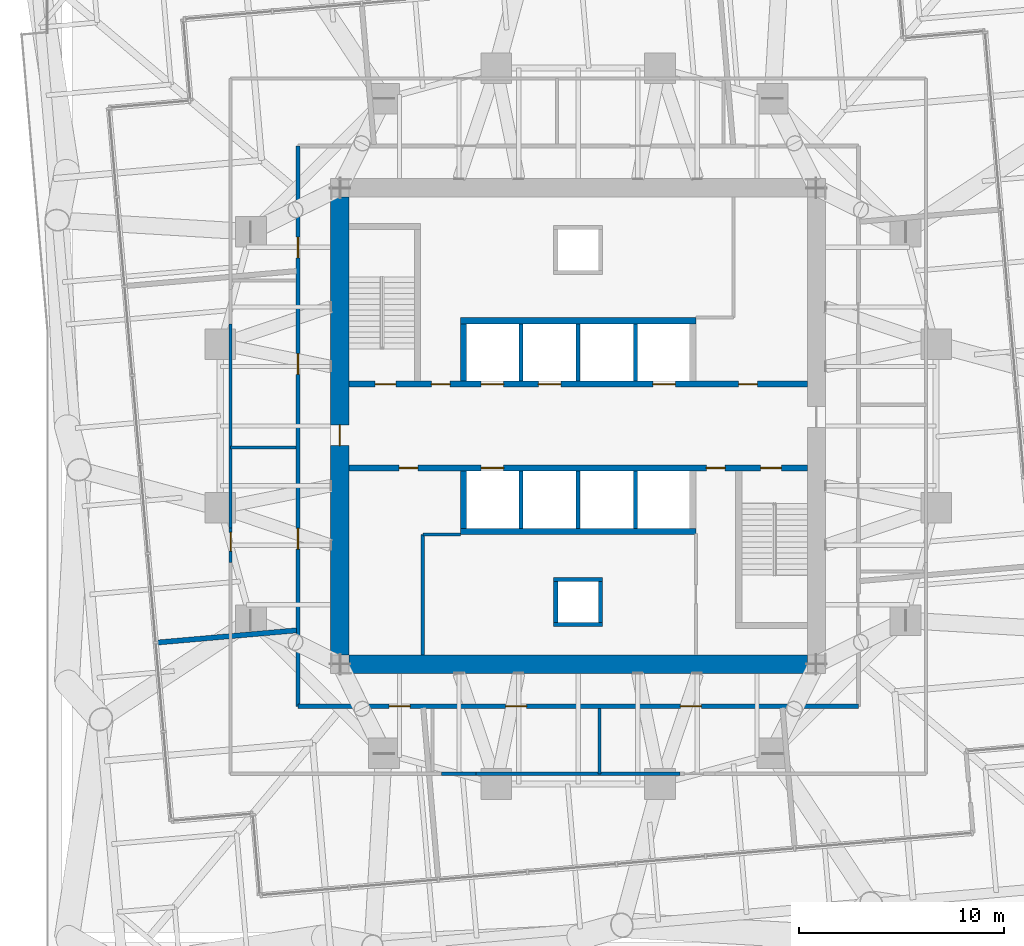
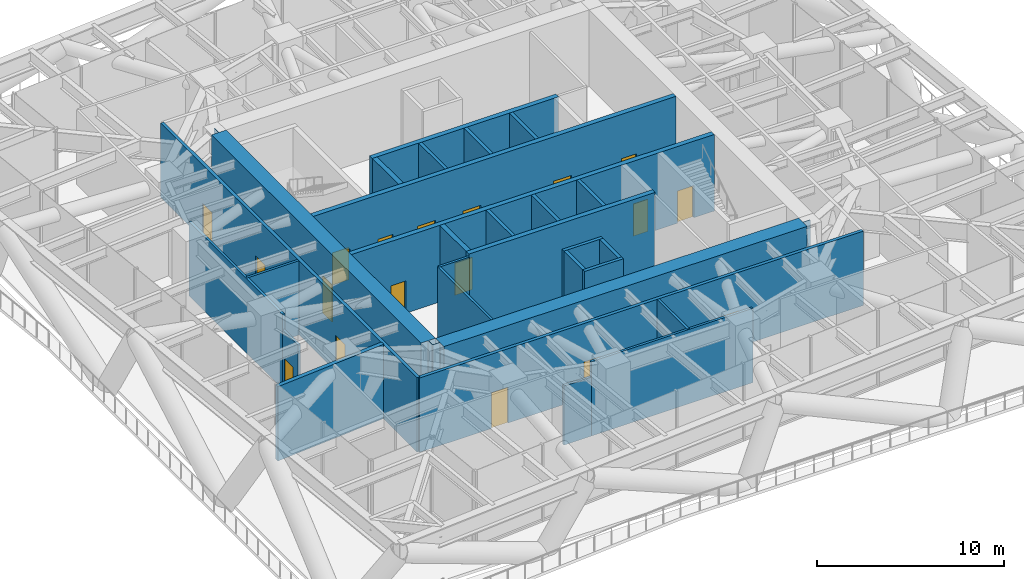
# One storey, part 9 of 14: 29 walls, 18 doors, 18 openings.
"""IFC4 building model written with IfcOpenShell, lengths in metres."""

import ifcopenshell
import ifcopenshell.guid

model = None  # the IFC model being written
_history = None  # IfcOwnerHistory: only IFC2X3 demands one
_inside = {}  # id of a spatial element -> (the spatial element, [elements in it])
_under = {}  # id of a project, library or spatial element -> (it, [spatial elements below it])
_declared = {}  # id of a project -> (the project, [libraries it declares])
_typed = {}  # id of a type object -> (the type object, [elements of that type])
_made_of = {}  # id of a material, layer set ... -> (it, [elements and type objects made of it])


def new_model(schema):
    """Start an empty IFC model of exactly this schema.

    Asked for "IFC4X3", IfcOpenShell would pick the latest addendum, in which some entities
    have other attributes; the version numbers below select the first issue.
    IFC2X3 requires an IfcOwnerHistory on every rooted entity: one is made here for all.
    """
    global model, _history
    if schema == "IFC4X3":
        model = ifcopenshell.file(schema_version=(4, 3, 0, 0))
    else:
        model = ifcopenshell.file(schema=schema)
    _inside.clear()
    _under.clear()
    _declared.clear()
    _typed.clear()
    _made_of.clear()
    _history = None
    if model.schema == "IFC2X3":
        org = make("IfcOrganization", Name="unknown")
        user = make(
            "IfcPersonAndOrganization",
            ThePerson=make("IfcPerson", FamilyName="unknown"),
            TheOrganization=org,
        )
        app = make(
            "IfcApplication",
            ApplicationDeveloper=org,
            Version="unknown",
            ApplicationFullName="unknown",
            ApplicationIdentifier="unknown",
        )
        _history = make(
            "IfcOwnerHistory",
            OwningUser=user,
            OwningApplication=app,
            ChangeAction="ADDED",
            CreationDate=0,
        )
    return model


def make(cls, **values):
    """One entity of the class cls with the attributes given. An attribute that is None is left unset."""
    return model.create_entity(
        cls, **{name: value for name, value in values.items() if value is not None}
    )


def rooted(cls, **values):
    """An entity with a GlobalId (a new one), such as an element, a storey or a relation."""
    return make(cls, GlobalId=ifcopenshell.guid.new(), OwnerHistory=_history, **values)


def si_unit(unit_type, name, prefix=None):
    """IfcSIUnit, for example si_unit("LENGTHUNIT", "METRE", prefix="MILLI")."""
    return make("IfcSIUnit", UnitType=unit_type, Prefix=prefix, Name=name)


def assignment(units):
    """IfcUnitAssignment: the units of a project."""
    return None if units is None else make("IfcUnitAssignment", Units=units)


def point(xyz):
    """IfcCartesianPoint."""
    return None if xyz is None else make("IfcCartesianPoint", Coordinates=xyz)


def direction(xyz):
    """IfcDirection."""
    return None if xyz is None else make("IfcDirection", DirectionRatios=xyz)


def frame(location, z_axis=None, x_axis=None):
    """IfcAxis2Placement3D, a coordinate frame: its origin and axes. An axis left out is left unset."""
    return make(
        "IfcAxis2Placement3D",
        Location=point(location),
        Axis=direction(z_axis),
        RefDirection=direction(x_axis),
    )


def frame_2d(location, x_axis=None):
    """IfcAxis2Placement2D, a coordinate frame in the plane: its origin and x axis."""
    return make(
        "IfcAxis2Placement2D", Location=point(location), RefDirection=direction(x_axis)
    )


def origin():
    """The frame at (0, 0, 0) with its axes left unset."""
    return frame((0.0, 0.0, 0.0))


def place(relative_to, where):
    """IfcLocalPlacement: puts the frame where relative to a parent placement (None: the world)."""
    return make(
        "IfcLocalPlacement", PlacementRelTo=relative_to, RelativePlacement=where
    )


def context(
    kind, dimensions, precision=None, world=None, true_north=None, identifier=None
):
    """IfcGeometricRepresentationContext, for example the 3D "Model" context."""
    return make(
        "IfcGeometricRepresentationContext",
        ContextIdentifier=identifier,
        ContextType=kind,
        CoordinateSpaceDimension=dimensions,
        Precision=precision,
        WorldCoordinateSystem=world,
        TrueNorth=true_north,
    )


def subcontext(parent, identifier, kind, view, scale=None):
    """IfcGeometricRepresentationSubContext, for example "Body" below "Model"."""
    return make(
        "IfcGeometricRepresentationSubContext",
        ContextIdentifier=identifier,
        ContextType=kind,
        ParentContext=parent,
        TargetScale=scale,
        TargetView=view,
    )


def project(units=None, contexts=None):
    """IfcProject with its units and contexts."""
    return rooted(
        "IfcProject",
        Name="project",
        RepresentationContexts=contexts,
        UnitsInContext=assignment(units),
    )


def spatial(cls, under=None, at=None, **own):
    """A site, building, storey or space (cls), placed at a placement, below another one or the project."""
    s = rooted(cls, ObjectPlacement=at, **own)
    if under is not None:
        _under.setdefault(under.id(), (under, []))[1].append(s)
    return s


def polyline(points):
    """IfcPolyline through the points."""
    return make("IfcPolyline", Points=[point(p) for p in points])


def profile(cls, at=None, kind="AREA", **sizes):
    """A parametric profile (cls). Its sizes go by their IFC names, for example OverallWidth=200.0."""
    return make(cls, ProfileType=kind, Position=at, **sizes)


def rectangle(**sizes):
    """IfcRectangleProfileDef."""
    return profile("IfcRectangleProfileDef", **sizes)


def outline(outer, holes=None, kind="AREA"):
    """IfcArbitraryClosedProfileDef: a profile drawn as a closed curve; with holes, ...WithVoids."""
    if holes is None:
        return make("IfcArbitraryClosedProfileDef", ProfileType=kind, OuterCurve=outer)
    return make(
        "IfcArbitraryProfileDefWithVoids",
        ProfileType=kind,
        OuterCurve=outer,
        InnerCurves=holes,
    )


def extrude(swept, where, along, depth):
    """IfcExtrudedAreaSolid: the profile swept, set in the frame where, extruded along a direction by depth."""
    return make(
        "IfcExtrudedAreaSolid",
        SweptArea=swept,
        Position=where,
        ExtrudedDirection=direction(along),
        Depth=depth,
    )


def shape(context_of_items, identifier, shape_type, items):
    """IfcShapeRepresentation: the items that make up one representation, for example the "Body"."""
    return make(
        "IfcShapeRepresentation",
        ContextOfItems=context_of_items,
        RepresentationIdentifier=identifier,
        RepresentationType=shape_type,
        Items=items,
    )


def material(Name=None, Category=None):
    """IfcMaterial."""
    return make("IfcMaterial", Name=Name, Category=Category)


def layer(
    of_material, thickness, ventilated=None, Name=None, Category=None, Priority=None
):
    """IfcMaterialLayer: one layer of a wall or slab, of a material (None: an air gap)."""
    return make(
        "IfcMaterialLayer",
        Material=of_material,
        LayerThickness=thickness,
        IsVentilated=ventilated,
        Name=Name,
        Category=Category,
        Priority=Priority,
    )


def layer_set(layers, Name=None):
    """IfcMaterialLayerSet."""
    return make("IfcMaterialLayerSet", MaterialLayers=layers, LayerSetName=Name)


def made_of(thing, what):
    """Note that an element or type object is made of a material, layer set ...; save() writes the relation."""
    if what is not None:
        _made_of.setdefault(what.id(), (what, []))[1].append(thing)
    return thing


def type_object(cls, material=None, **own):
    """A type object (cls), such as IfcWallType, which elements share."""
    return made_of(rooted(cls, **own), material)


def element(
    cls,
    number,
    at=None,
    inside=None,
    cuts=None,
    type_object=None,
    material=None,
    context=None,
    identifier="Body",
    shape_type=None,
    held_by="IfcProductDefinitionShape",
    body=None,
    shapes=None,
    **own,
):
    """One element of the class cls, such as IfcWall. Its Tag is "e" and its number.

    at: its placement. inside: the storey or other place that contains it. cuts: it is an
    opening in that element (IfcRelVoidsElement). A single representation is given by context,
    identifier, shape_type and body (its items); several are given by shapes. held_by: the class
    of the entity that holds the representations. save() writes the other relations.
    """
    e = rooted(cls, Tag="e%d" % number, ObjectPlacement=at, **own)
    if body is not None:
        shapes = [shape(context, identifier, shape_type, body)]
    if shapes is not None:
        e.Representation = make(held_by, Representations=shapes)
    if inside is not None:
        _inside.setdefault(inside.id(), (inside, []))[1].append(e)
    if cuts is not None:
        rooted(
            "IfcRelVoidsElement", RelatingBuildingElement=cuts, RelatedOpeningElement=e
        )
    if type_object is not None:
        _typed.setdefault(type_object.id(), (type_object, []))[1].append(e)
    return made_of(e, material)


def fill(opening, filler):
    """IfcRelFillsElement: the door or window that sits in an opening."""
    return rooted(
        "IfcRelFillsElement",
        RelatingOpeningElement=opening,
        RelatedBuildingElement=filler,
    )


def aggregate(whole, parts):
    """IfcRelAggregates: a whole, such as a stair, and the parts it consists of."""
    return rooted("IfcRelAggregates", RelatingObject=whole, RelatedObjects=parts)


def save(model, path):
    """Write the relations noted so far, then the file.

    IfcRelAggregates (storeys below a building ...), IfcRelContainedInSpatialStructure (elements
    in a storey), IfcRelDefinesByType, IfcRelAssociatesMaterial and IfcRelDeclares: one each for
    every whole, place, type object, material and project.
    """
    for whole, parts in _under.values():
        aggregate(whole, parts)
    for where, things in _inside.values():
        rooted(
            "IfcRelContainedInSpatialStructure",
            RelatedElements=things,
            RelatingStructure=where,
        )
    for kind, things in _typed.values():
        rooted("IfcRelDefinesByType", RelatedObjects=things, RelatingType=kind)
    for what, things in _made_of.values():
        rooted("IfcRelAssociatesMaterial", RelatedObjects=things, RelatingMaterial=what)
    for by, libraries in _declared.values():
        rooted("IfcRelDeclares", RelatingContext=by, RelatedDefinitions=libraries)
    model.write(path)


model = new_model("IFC4")

# Units and contexts
model_context = context("Model", 3, precision=1e-05, world=origin(), true_north=direction((0.0, 1.0)))
body_context = subcontext(model_context, "Body", "Model", "MODEL_VIEW")
ifc_project = project(units=[si_unit("LENGTHUNIT", "METRE"), si_unit("AREAUNIT", "SQUARE_METRE"), si_unit("VOLUMEUNIT", "CUBIC_METRE"), si_unit("PLANEANGLEUNIT", "RADIAN"), si_unit("MASSUNIT", "GRAM", prefix="KILO")], contexts=[model_context])

# Site, building, storey
site_placement = place(None, origin())
site = spatial("IfcSite", under=ifc_project, at=site_placement, CompositionType="ELEMENT")
building_placement = place(site_placement, origin())
building = spatial("IfcBuilding", under=site, at=building_placement, Name="Torsade Residences", CompositionType="ELEMENT")
storey_placement = place(building_placement, frame((0.0, 0.0, 42.199951171875)))
storey = spatial("IfcBuildingStorey", under=building, at=storey_placement, Name="L11", CompositionType="ELEMENT", Elevation=42.199951171875)

# Wall, openings, doors
ifc_material_1 = material(Name="Concrete 80 MPa", Category="concrete")
ifc_layer_1 = layer(ifc_material_1, 0.300048828125)
ifc_layer_set_1 = layer_set([ifc_layer_1], Name="Concrete 80 MPa")
wall_type_1 = type_object("IfcWallType", Name="CORE INTERNAL WALL 300", PredefinedType="SHEAR", material=ifc_layer_set_1)
wall_1_placement = place(storey_placement, frame((28.800048828125, 32.050048828125, 0.0), z_axis=(0.0, 0.0, 1.0), x_axis=(1.0, 0.0, 0.0)))
wall_1 = element("IfcWall", 1, at=wall_1_placement, inside=storey, type_object=wall_type_1, Name="Core wall LN L11", PredefinedType="SHEAR", context=body_context, shape_type="SweptSolid", body=[
    extrude(rectangle(XDim=22.39990234375, YDim=0.300048828125, at=frame_2d((11.199951171875, 0.0))), origin(), (0.0, 0.0, 1.0), 5.0),
])
opening_1_placement = place(wall_1_placement, frame((19.0400390625, 0.0, 0.0)))
opening_1 = element("IfcOpeningElement", 2, at=opening_1_placement, cuts=wall_1, Name="Opening D06", PredefinedType="OPENING", context=body_context, shape_type="SweptSolid", body=[
    extrude(rectangle(XDim=0.919921875, YDim=2.10009765625, at=frame_2d((0.4599609375, 1.050048828125))), frame((0.0, 0.159912109375, 0.0), z_axis=(0.0, -1.0, 0.0), x_axis=(1.0, 0.0, 0.0)), (0.0, 0.0, 1.0), 0.320068359375),
])
opening_2_placement = place(wall_1_placement, frame((1.264892578125, 0.0, 0.0)))
opening_2 = element("IfcOpeningElement", 3, at=opening_2_placement, cuts=wall_1, Name="Opening D03", PredefinedType="OPENING", context=body_context, shape_type="SweptSolid", body=[
    extrude(rectangle(XDim=1.02001953125, YDim=2.10009765625, at=frame_2d((0.510009765625, 1.050048828125))), frame((0.0, 0.159912109375, 0.0), z_axis=(0.0, -1.0, 0.0), x_axis=(1.0, 0.0, 0.0)), (0.0, 0.0, 1.0), 0.320068359375),
])
opening_3_placement = place(wall_1_placement, frame((4.014892578125, 0.0, 0.0)))
opening_3 = element("IfcOpeningElement", 4, at=opening_3_placement, cuts=wall_1, Name="Opening D06", PredefinedType="OPENING", context=body_context, shape_type="SweptSolid", body=[
    extrude(rectangle(XDim=0.919921875, YDim=2.10009765625, at=frame_2d((0.4599609375, 1.050048828125))), frame((0.0, 0.159912109375, 0.0), z_axis=(0.0, -1.0, 0.0), x_axis=(1.0, 0.0, 0.0)), (0.0, 0.0, 1.0), 0.320068359375),
])
opening_4_placement = place(wall_1_placement, frame((6.449951171875, 0.0, 0.0)))
opening_4 = element("IfcOpeningElement", 5, at=opening_4_placement, cuts=wall_1, Name="Opening LD", PredefinedType="OPENING", context=body_context, shape_type="SweptSolid", body=[
    extrude(rectangle(XDim=1.10009765625, YDim=2.10009765625, at=frame_2d((0.550048828125, 1.050048828125))), frame((0.0, 0.159912109375, 0.0), z_axis=(0.0, -1.0, 0.0), x_axis=(1.0, 0.0, 0.0)), (0.0, 0.0, 1.0), 0.320068359375),
])
opening_5_placement = place(wall_1_placement, frame((9.25, 0.0, 0.0)))
opening_5 = element("IfcOpeningElement", 6, at=opening_5_placement, cuts=wall_1, Name="Opening LD", PredefinedType="OPENING", context=body_context, shape_type="SweptSolid", body=[
    extrude(rectangle(XDim=1.10009765625, YDim=2.10009765625, at=frame_2d((0.550048828125, 1.050048828125))), frame((0.0, 0.159912109375, 0.0), z_axis=(0.0, -1.0, 0.0), x_axis=(1.0, 0.0, 0.0)), (0.0, 0.0, 1.0), 0.320068359375),
])
opening_6_placement = place(wall_1_placement, frame((14.85009765625, 0.0, 0.0)))
opening_6 = element("IfcOpeningElement", 7, at=opening_6_placement, cuts=wall_1, Name="Opening LD", PredefinedType="OPENING", context=body_context, shape_type="SweptSolid", body=[
    extrude(rectangle(XDim=1.10009765625, YDim=2.10009765625, at=frame_2d((0.550048828125, 1.050048828125))), frame((0.0, 0.159912109375, 0.0), z_axis=(0.0, -1.0, 0.0), x_axis=(1.0, 0.0, 0.0)), (0.0, 0.0, 1.0), 0.320068359375),
])
ifc_material_2 = material(Name="Steel-framed fire door", Category="steel")
door_type_1 = type_object("IfcDoorType", Name="FIRE DOOR 1020", OperationType="NOTDEFINED", PredefinedType="DOOR", material=ifc_material_2)
door_1_placement = place(opening_2_placement, origin())
door_1 = element("IfcDoor", 8, at=door_1_placement, inside=storey, type_object=door_type_1, Name="Exit door to fire-isolated stair ST1 L11", OperationType="SINGLE_SWING_RIGHT", OverallHeight=2.10009765625, OverallWidth=1.02001953125, PredefinedType="DOOR", context=body_context, shape_type="SweptSolid", body=[
    extrude(rectangle(XDim=1.02001953125, YDim=2.10009765625, at=frame_2d((0.510009765625, 1.050048828125))), frame((0.0, 0.02490234375, 0.0), z_axis=(0.0, -1.0, 0.0), x_axis=(1.0, 0.0, 0.0)), (0.0, 0.0, 1.0), 0.050048828125),
])
fill(opening_2, door_1)
ifc_material_3 = material(Name="Steel-framed fire door", Category="steel")
door_type_2 = type_object("IfcDoorType", Name="FIRE DOOR 920", OperationType="NOTDEFINED", PredefinedType="DOOR", material=ifc_material_3)
door_2_placement = place(opening_1_placement, origin())
door_2 = element("IfcDoor", 9, at=door_2_placement, inside=storey, type_object=door_type_2, Name="Door Lift lobby to Refuse room", OperationType="SINGLE_SWING_LEFT", OverallHeight=2.10009765625, OverallWidth=0.919921875, PredefinedType="DOOR", context=body_context, shape_type="SweptSolid", body=[
    extrude(rectangle(XDim=0.919921875, YDim=2.10009765625, at=frame_2d((0.4599609375, 1.050048828125))), frame((0.0, 0.02490234375, 0.0), z_axis=(0.0, -1.0, 0.0), x_axis=(1.0, 0.0, 0.0)), (0.0, 0.0, 1.0), 0.050048828125),
])
fill(opening_1, door_2)
door_3_placement = place(opening_3_placement, origin())
door_3 = element("IfcDoor", 10, at=door_3_placement, inside=storey, type_object=door_type_2, Name="Door Lift lobby to Electrical riser room", OperationType="SINGLE_SWING_LEFT", OverallHeight=2.10009765625, OverallWidth=0.919921875, PredefinedType="DOOR", context=body_context, shape_type="SweptSolid", body=[
    extrude(rectangle(XDim=0.919921875, YDim=2.10009765625, at=frame_2d((0.4599609375, 1.050048828125))), frame((0.0, 0.02490234375, 0.0), z_axis=(0.0, -1.0, 0.0), x_axis=(1.0, 0.0, 0.0)), (0.0, 0.0, 1.0), 0.050048828125),
])
fill(opening_3, door_3)
ifc_material_4 = material(Name="Stainless steel lift landing door", Category="steel")
door_type_3 = type_object("IfcDoorType", Name="LIFT LANDING DOOR 1100", OperationType="SLIDING_TO_LEFT", PredefinedType="DOOR", material=ifc_material_4)
door_4_placement = place(opening_4_placement, origin())
door_4 = element("IfcDoor", 11, at=door_4_placement, inside=storey, type_object=door_type_3, Name="Lift LA1 landing door L11", OperationType="SLIDING_TO_LEFT", OverallHeight=2.10009765625, OverallWidth=1.10009765625, PredefinedType="DOOR", context=body_context, shape_type="SweptSolid", body=[
    extrude(rectangle(XDim=1.10009765625, YDim=2.10009765625, at=frame_2d((0.550048828125, 1.050048828125))), frame((0.0, 0.02490234375, 0.0), z_axis=(0.0, -1.0, 0.0), x_axis=(1.0, 0.0, 0.0)), (0.0, 0.0, 1.0), 0.050048828125),
])
fill(opening_4, door_4)
door_5_placement = place(opening_5_placement, origin())
door_5 = element("IfcDoor", 12, at=door_5_placement, inside=storey, type_object=door_type_3, Name="Lift LA2 landing door L11", OperationType="SLIDING_TO_LEFT", OverallHeight=2.10009765625, OverallWidth=1.10009765625, PredefinedType="DOOR", context=body_context, shape_type="SweptSolid", body=[
    extrude(rectangle(XDim=1.10009765625, YDim=2.10009765625, at=frame_2d((0.550048828125, 1.050048828125))), frame((0.0, 0.02490234375, 0.0), z_axis=(0.0, -1.0, 0.0), x_axis=(1.0, 0.0, 0.0)), (0.0, 0.0, 1.0), 0.050048828125),
])
fill(opening_5, door_5)
door_6_placement = place(opening_6_placement, origin())
door_6 = element("IfcDoor", 13, at=door_6_placement, inside=storey, type_object=door_type_3, Name="Lift FL1 landing door L11", OperationType="SLIDING_TO_LEFT", OverallHeight=2.10009765625, OverallWidth=1.10009765625, PredefinedType="DOOR", context=body_context, shape_type="SweptSolid", body=[
    extrude(rectangle(XDim=1.10009765625, YDim=2.10009765625, at=frame_2d((0.550048828125, 1.050048828125))), frame((0.0, 0.02490234375, 0.0), z_axis=(0.0, -1.0, 0.0), x_axis=(1.0, 0.0, 0.0)), (0.0, 0.0, 1.0), 0.050048828125),
])
fill(opening_6, door_6)

wall_2_placement = place(storey_placement, frame((51.199951171875, 27.949951171875, 0.0), z_axis=(0.0, 0.0, 1.0), x_axis=(-1.0, 0.0, 0.0)))
wall_2 = element("IfcWall", 14, at=wall_2_placement, inside=storey, type_object=wall_type_1, Name="Core wall LS L11", PredefinedType="SHEAR", context=body_context, shape_type="SweptSolid", body=[
    extrude(rectangle(XDim=22.39990234375, YDim=0.300048828125, at=frame_2d((11.199951171875, 0.0))), origin(), (0.0, 0.0, 1.0), 5.0),
])
opening_7_placement = place(wall_2_placement, frame((19.0400390625, 0.0, 0.0)))
opening_7 = element("IfcOpeningElement", 15, at=opening_7_placement, cuts=wall_2, Name="Opening D06", PredefinedType="OPENING", context=body_context, shape_type="SweptSolid", body=[
    extrude(rectangle(XDim=0.919921875, YDim=2.10009765625, at=frame_2d((0.4599609375, 1.050048828125))), frame((0.0, 0.159912109375, 0.0), z_axis=(0.0, -1.0, 0.0), x_axis=(1.0, 0.0, 0.0)), (0.0, 0.0, 1.0), 0.320068359375),
])
opening_8_placement = place(wall_2_placement, frame((1.264892578125, 0.0, 0.0)))
opening_8 = element("IfcOpeningElement", 16, at=opening_8_placement, cuts=wall_2, Name="Opening D03", PredefinedType="OPENING", context=body_context, shape_type="SweptSolid", body=[
    extrude(rectangle(XDim=1.02001953125, YDim=2.10009765625, at=frame_2d((0.510009765625, 1.050048828125))), frame((0.0, 0.159912109375, 0.0), z_axis=(0.0, -1.0, 0.0), x_axis=(1.0, 0.0, 0.0)), (0.0, 0.0, 1.0), 0.320068359375),
])
opening_9_placement = place(wall_2_placement, frame((4.014892578125, 0.0, 0.0)))
opening_9 = element("IfcOpeningElement", 17, at=opening_9_placement, cuts=wall_2, Name="Opening D06", PredefinedType="OPENING", context=body_context, shape_type="SweptSolid", body=[
    extrude(rectangle(XDim=0.919921875, YDim=2.10009765625, at=frame_2d((0.4599609375, 1.050048828125))), frame((0.0, 0.159912109375, 0.0), z_axis=(0.0, -1.0, 0.0), x_axis=(1.0, 0.0, 0.0)), (0.0, 0.0, 1.0), 0.320068359375),
])
opening_10_placement = place(wall_2_placement, frame((14.85009765625, 0.0, 0.0)))
opening_10 = element("IfcOpeningElement", 18, at=opening_10_placement, cuts=wall_2, Name="Opening LD", PredefinedType="OPENING", context=body_context, shape_type="SweptSolid", body=[
    extrude(rectangle(XDim=1.10009765625, YDim=2.10009765625, at=frame_2d((0.550048828125, 1.050048828125))), frame((0.0, 0.159912109375, 0.0), z_axis=(0.0, -1.0, 0.0), x_axis=(1.0, 0.0, 0.0)), (0.0, 0.0, 1.0), 0.320068359375),
])
door_7_placement = place(opening_8_placement, origin())
door_7 = element("IfcDoor", 19, at=door_7_placement, inside=storey, type_object=door_type_1, Name="Exit door to fire-isolated stair ST2 L11", OperationType="SINGLE_SWING_RIGHT", OverallHeight=2.10009765625, OverallWidth=1.02001953125, PredefinedType="DOOR", context=body_context, shape_type="SweptSolid", body=[
    extrude(rectangle(XDim=1.02001953125, YDim=2.10009765625, at=frame_2d((0.510009765625, 1.050048828125))), frame((0.0, 0.02490234375, 0.0), z_axis=(0.0, -1.0, 0.0), x_axis=(1.0, 0.0, 0.0)), (0.0, 0.0, 1.0), 0.050048828125),
])
fill(opening_8, door_7)
door_8_placement = place(opening_7_placement, origin())
door_8 = element("IfcDoor", 20, at=door_8_placement, inside=storey, type_object=door_type_2, Name="Door Lift lobby to Cleaner store", OperationType="SINGLE_SWING_LEFT", OverallHeight=2.10009765625, OverallWidth=0.919921875, PredefinedType="DOOR", context=body_context, shape_type="SweptSolid", body=[
    extrude(rectangle(XDim=0.919921875, YDim=2.10009765625, at=frame_2d((0.4599609375, 1.050048828125))), frame((0.0, 0.02490234375, 0.0), z_axis=(0.0, -1.0, 0.0), x_axis=(1.0, 0.0, 0.0)), (0.0, 0.0, 1.0), 0.050048828125),
])
fill(opening_7, door_8)
door_9_placement = place(opening_9_placement, origin())
door_9 = element("IfcDoor", 21, at=door_9_placement, inside=storey, type_object=door_type_2, Name="Door Lift lobby to Security and data store", OperationType="SINGLE_SWING_RIGHT", OverallHeight=2.10009765625, OverallWidth=0.919921875, PredefinedType="DOOR", context=body_context, shape_type="SweptSolid", body=[
    extrude(rectangle(XDim=0.919921875, YDim=2.10009765625, at=frame_2d((0.4599609375, 1.050048828125))), frame((0.0, 0.02490234375, 0.0), z_axis=(0.0, -1.0, 0.0), x_axis=(1.0, 0.0, 0.0)), (0.0, 0.0, 1.0), 0.050048828125),
])
fill(opening_9, door_9)
door_10_placement = place(opening_10_placement, origin())
door_10 = element("IfcDoor", 22, at=door_10_placement, inside=storey, type_object=door_type_3, Name="Lift FL2 landing door L11", OperationType="SLIDING_TO_LEFT", OverallHeight=2.10009765625, OverallWidth=1.10009765625, PredefinedType="DOOR", context=body_context, shape_type="SweptSolid", body=[
    extrude(rectangle(XDim=1.10009765625, YDim=2.10009765625, at=frame_2d((0.550048828125, 1.050048828125))), frame((0.0, 0.02490234375, 0.0), z_axis=(0.0, -1.0, 0.0), x_axis=(1.0, 0.0, 0.0)), (0.0, 0.0, 1.0), 0.050048828125),
])
fill(opening_10, door_10)

# Walls
for number, where, z_axis, x_axis, name in (
    (23, (34.25, 35.14990234375, 0.0), (0.0, 0.0, 1.0), (1.0, 0.0, 0.0), "Core wall BN L11"),
    (24, (45.75, 24.85009765625, 0.0), (0.0, 0.0, 1.0), (-1.0, 0.0, 0.0), "Core wall BS L11"),
):
    element("IfcWall", number, at=place(storey_placement, frame(where, z_axis=z_axis, x_axis=x_axis)), inside=storey, type_object=wall_type_1, Name=name, PredefinedType="SHEAR", context=body_context, shape_type="SweptSolid", body=[
        extrude(rectangle(XDim=11.5, YDim=0.300048828125, at=frame_2d((5.75, 0.0))), origin(), (0.0, 0.0, 1.0), 5.0),
    ])
for number, where, z_axis, x_axis, name in (
    (25, (34.39990234375, 32.199951171875, 0.0), (0.0, 0.0, 1.0), (0.0, 1.0, 0.0), "Core wall DN0 L11"),
    (26, (34.39990234375, 27.800048828125, 0.0), (0.0, 0.0, 1.0), (0.0, -1.0, 0.0), "Core wall DS4 L11"),
):
    element("IfcWall", number, at=place(storey_placement, frame(where, z_axis=z_axis, x_axis=x_axis)), inside=storey, type_object=wall_type_1, Name=name, PredefinedType="SHEAR", context=body_context, shape_type="SweptSolid", body=[
        extrude(rectangle(XDim=2.800048828125, YDim=0.300048828125, at=frame_2d((1.39990234375, 0.0))), origin(), (0.0, 0.0, 1.0), 5.0),
    ])
ifc_material_5 = material(Name="Concrete 80 MPa", Category="concrete")
ifc_layer_2 = layer(ifc_material_5, 0.89990234375)
ifc_layer_set_2 = layer_set([ifc_layer_2], Name="Concrete 80 MPa")
wall_type_2 = type_object("IfcWallType", Name="CORE WALL 900", PredefinedType="SHEAR", material=ifc_layer_set_2)
wall_3_placement = place(storey_placement, frame((51.199951171875, 18.35009765625, 0.0), z_axis=(0.0, 0.0, 1.0), x_axis=(-1.0, 0.0, 0.0)))
element("IfcWall", 27, at=wall_3_placement, inside=storey, type_object=wall_type_2, Name="Core wall S L11", PredefinedType="SHEAR", context=body_context, shape_type="SweptSolid", body=[
    extrude(outline(polyline([(0.0, -0.449951171875), (22.39990234375, -0.449951171875), (22.39990234375, -0.02490234375), (22.849853515625, -0.02490234375), (22.849853515625, 0.02490234375), (22.39990234375, 0.02490234375), (22.39990234375, 0.449951171875), (0.0, 0.449951171875), (0.0, 0.02490234375), (-0.449951171875, 0.02490234375), (-0.449951171875, -0.02490234375), (0.0, -0.02490234375), (0.0, -0.449951171875)])), origin(), (0.0, 0.0, 1.0), 5.0),
])

# Wall, opening, door
wall_4_placement = place(storey_placement, frame((28.35009765625, 41.199951171875, 0.0), z_axis=(0.0, 0.0, 1.0), x_axis=(0.0, -1.0, 0.0)))
wall_4 = element("IfcWall", 28, at=wall_4_placement, inside=storey, type_object=wall_type_2, Name="Core wall W L11", PredefinedType="SHEAR", context=body_context, shape_type="SweptSolid", body=[
    extrude(outline(polyline([(0.0, -0.449951171875), (22.39990234375, -0.449951171875), (22.39990234375, -0.02490234375), (22.849853515625, -0.02490234375), (22.849853515625, 0.02490234375), (22.39990234375, 0.02490234375), (22.39990234375, 0.449951171875), (0.0, 0.449951171875), (0.0, 0.02490234375), (-0.449951171875, 0.02490234375), (-0.449951171875, -0.02490234375), (0.0, -0.02490234375), (0.0, -0.449951171875)])), origin(), (0.0, 0.0, 1.0), 5.0),
])
opening_11_placement = place(wall_4_placement, frame((11.139892578125, 0.0, 0.0)))
opening_11 = element("IfcOpeningElement", 29, at=opening_11_placement, cuts=wall_4, Name="Opening D04", PredefinedType="OPENING", context=body_context, shape_type="SweptSolid", body=[
    extrude(rectangle(XDim=1.02001953125, YDim=2.39990234375, at=frame_2d((0.510009765625, 1.199951171875))), frame((0.0, 0.4599609375, 0.0), z_axis=(0.0, -1.0, 0.0), x_axis=(1.0, 0.0, 0.0)), (0.0, 0.0, 1.0), 0.919921875),
])
ifc_material_6 = material(Name="Steel-framed fire door", Category="steel")
door_type_4 = type_object("IfcDoorType", Name="LOBBY SMOKE DOOR 1020x2400", OperationType="NOTDEFINED", PredefinedType="DOOR", material=ifc_material_6)
door_11_placement = place(opening_11_placement, origin())
door_11 = element("IfcDoor", 30, at=door_11_placement, inside=storey, type_object=door_type_4, Name="Lift lobby door W L11", OperationType="SINGLE_SWING_RIGHT", OverallHeight=2.39990234375, OverallWidth=1.02001953125, PredefinedType="DOOR", context=body_context, shape_type="SweptSolid", body=[
    extrude(rectangle(XDim=1.02001953125, YDim=2.39990234375, at=frame_2d((0.510009765625, 1.199951171875))), frame((0.0, 0.02490234375, 0.0), z_axis=(0.0, -1.0, 0.0), x_axis=(1.0, 0.0, 0.0)), (0.0, 0.0, 1.0), 0.050048828125),
])
fill(opening_11, door_11)

# Wall, openings, doors
ifc_material_7 = material(Name="Plasterboard on steel stud", Category="steel")
ifc_layer_3 = layer(ifc_material_7, 0.199951171875)
ifc_layer_set_3 = layer_set([ifc_layer_3], Name="Plasterboard on steel stud")
wall_type_3 = type_object("IfcWallType", Name="CORRIDOR WALL 200", PredefinedType="PARTITIONING", material=ifc_layer_set_3)
wall_5_placement = place(storey_placement, frame((26.300048828125, 16.300048828125, 0.0), z_axis=(0.0, 0.0, 1.0), x_axis=(1.0, 0.0, 0.0)))
wall_5 = element("IfcWall", 31, at=wall_5_placement, inside=storey, type_object=wall_type_3, Name="Corridor wall L11", PredefinedType="PARTITIONING", context=body_context, shape_type="SweptSolid", body=[
    extrude(rectangle(XDim=27.39990234375, YDim=0.199951171875, at=frame_2d((13.699951171875, 0.0))), origin(), (0.0, 0.0, 1.0), 4.85009765625),
])
opening_12_placement = place(wall_5_placement, frame((18.69775390625, 0.0, 0.0)))
opening_12 = element("IfcOpeningElement", 32, at=opening_12_placement, cuts=wall_5, Name="Opening D01", PredefinedType="OPENING", context=body_context, shape_type="SweptSolid", body=[
    extrude(rectangle(XDim=1.02001953125, YDim=2.340087890625, at=frame_2d((0.510009765625, 1.169921875))), frame((0.0, 0.10986328125, 0.0), z_axis=(0.0, -1.0, 0.0), x_axis=(1.0, 0.0, 0.0)), (0.0, 0.0, 1.0), 0.219970703125),
])
opening_13_placement = place(wall_5_placement, frame((10.1533203125, 0.0, 0.0)))
opening_13 = element("IfcOpeningElement", 33, at=opening_13_placement, cuts=wall_5, Name="Opening D01", PredefinedType="OPENING", context=body_context, shape_type="SweptSolid", body=[
    extrude(rectangle(XDim=1.02001953125, YDim=2.340087890625, at=frame_2d((0.510009765625, 1.169921875))), frame((0.0, 0.10986328125, 0.0), z_axis=(0.0, -1.0, 0.0), x_axis=(1.0, 0.0, 0.0)), (0.0, 0.0, 1.0), 0.219970703125),
])
opening_14_placement = place(wall_5_placement, frame((4.457763671875, 0.0, 0.0)))
opening_14 = element("IfcOpeningElement", 34, at=opening_14_placement, cuts=wall_5, Name="Opening D01", PredefinedType="OPENING", context=body_context, shape_type="SweptSolid", body=[
    extrude(rectangle(XDim=1.02001953125, YDim=2.340087890625, at=frame_2d((0.510009765625, 1.169921875))), frame((0.0, 0.10986328125, 0.0), z_axis=(0.0, -1.0, 0.0), x_axis=(1.0, 0.0, 0.0)), (0.0, 0.0, 1.0), 0.219970703125),
])
ifc_material_8 = material(Name="Solid-core timber fire door", Category="wood")
door_type_5 = type_object("IfcDoorType", Name="APARTMENT ENTRY DOOR 1020x2340", OperationType="NOTDEFINED", PredefinedType="DOOR", material=ifc_material_8)
door_12_placement = place(opening_12_placement, origin())
door_12 = element("IfcDoor", 35, at=door_12_placement, inside=storey, type_object=door_type_5, Name="Door Plant corridor to Pump room", OperationType="SINGLE_SWING_RIGHT", OverallHeight=2.340087890625, OverallWidth=1.02001953125, PredefinedType="DOOR", context=body_context, shape_type="SweptSolid", body=[
    extrude(rectangle(XDim=1.02001953125, YDim=2.340087890625, at=frame_2d((0.510009765625, 1.169921875))), frame((0.0, 0.02490234375, 0.0), z_axis=(0.0, -1.0, 0.0), x_axis=(1.0, 0.0, 0.0)), (0.0, 0.0, 1.0), 0.050048828125),
])
fill(opening_12, door_12)
door_13_placement = place(opening_13_placement, origin())
door_13 = element("IfcDoor", 36, at=door_13_placement, inside=storey, type_object=door_type_5, Name="Door Plant corridor to Plant cupboard", OperationType="SINGLE_SWING_RIGHT", OverallHeight=2.340087890625, OverallWidth=1.02001953125, PredefinedType="DOOR", context=body_context, shape_type="SweptSolid", body=[
    extrude(rectangle(XDim=1.02001953125, YDim=2.340087890625, at=frame_2d((0.510009765625, 1.169921875))), frame((0.0, 0.02490234375, 0.0), z_axis=(0.0, -1.0, 0.0), x_axis=(1.0, 0.0, 0.0)), (0.0, 0.0, 1.0), 0.050048828125),
])
fill(opening_13, door_13)
door_14_placement = place(opening_14_placement, origin())
door_14 = element("IfcDoor", 37, at=door_14_placement, inside=storey, type_object=door_type_5, Name="Door Plant corridor to Service lobby", OperationType="SINGLE_SWING_LEFT", OverallHeight=2.340087890625, OverallWidth=1.02001953125, PredefinedType="DOOR", context=body_context, shape_type="SweptSolid", body=[
    extrude(rectangle(XDim=1.02001953125, YDim=2.340087890625, at=frame_2d((0.510009765625, 1.169921875))), frame((0.0, 0.02490234375, 0.0), z_axis=(0.0, -1.0, 0.0), x_axis=(1.0, 0.0, 0.0)), (0.0, 0.0, 1.0), 0.050048828125),
])
fill(opening_14, door_14)

wall_6_placement = place(storey_placement, frame((26.300048828125, 43.699951171875, 0.0), z_axis=(0.0, 0.0, 1.0), x_axis=(0.0, -1.0, 0.0)))
wall_6 = element("IfcWall", 38, at=wall_6_placement, inside=storey, type_object=wall_type_3, Name="Corridor wall L11", PredefinedType="PARTITIONING", context=body_context, shape_type="SweptSolid", body=[
    extrude(rectangle(XDim=27.39990234375, YDim=0.199951171875, at=frame_2d((13.699951171875, 0.0))), origin(), (0.0, 0.0, 1.0), 4.85009765625),
])
opening_15_placement = place(wall_6_placement, frame((18.69775390625, 0.0, 0.0)))
opening_15 = element("IfcOpeningElement", 39, at=opening_15_placement, cuts=wall_6, Name="Opening D01", PredefinedType="OPENING", context=body_context, shape_type="SweptSolid", body=[
    extrude(rectangle(XDim=1.02001953125, YDim=2.340087890625, at=frame_2d((0.510009765625, 1.169921875))), frame((0.0, 0.10986328125, 0.0), z_axis=(0.0, -1.0, 0.0), x_axis=(1.0, 0.0, 0.0)), (0.0, 0.0, 1.0), 0.219970703125),
])
opening_16_placement = place(wall_6_placement, frame((10.1533203125, 0.0, 0.0)))
opening_16 = element("IfcOpeningElement", 40, at=opening_16_placement, cuts=wall_6, Name="Opening D01", PredefinedType="OPENING", context=body_context, shape_type="SweptSolid", body=[
    extrude(rectangle(XDim=1.02001953125, YDim=2.340087890625, at=frame_2d((0.510009765625, 1.169921875))), frame((0.0, 0.10986328125, 0.0), z_axis=(0.0, -1.0, 0.0), x_axis=(1.0, 0.0, 0.0)), (0.0, 0.0, 1.0), 0.219970703125),
])
opening_17_placement = place(wall_6_placement, frame((4.457763671875, 0.0, 0.0)))
opening_17 = element("IfcOpeningElement", 41, at=opening_17_placement, cuts=wall_6, Name="Opening D01", PredefinedType="OPENING", context=body_context, shape_type="SweptSolid", body=[
    extrude(rectangle(XDim=1.02001953125, YDim=2.340087890625, at=frame_2d((0.510009765625, 1.169921875))), frame((0.0, 0.10986328125, 0.0), z_axis=(0.0, -1.0, 0.0), x_axis=(1.0, 0.0, 0.0)), (0.0, 0.0, 1.0), 0.219970703125),
])
door_15_placement = place(opening_15_placement, origin())
door_15 = element("IfcDoor", 42, at=door_15_placement, inside=storey, type_object=door_type_5, Name="Door Plant corridor to Pump room", OperationType="SINGLE_SWING_RIGHT", OverallHeight=2.340087890625, OverallWidth=1.02001953125, PredefinedType="DOOR", context=body_context, shape_type="SweptSolid", body=[
    extrude(rectangle(XDim=1.02001953125, YDim=2.340087890625, at=frame_2d((0.510009765625, 1.169921875))), frame((0.0, 0.02490234375, 0.0), z_axis=(0.0, -1.0, 0.0), x_axis=(1.0, 0.0, 0.0)), (0.0, 0.0, 1.0), 0.050048828125),
])
fill(opening_15, door_15)
door_16_placement = place(opening_16_placement, origin())
door_16 = element("IfcDoor", 43, at=door_16_placement, inside=storey, type_object=door_type_5, Name="Door Plant corridor to Plant cupboard", OperationType="SINGLE_SWING_RIGHT", OverallHeight=2.340087890625, OverallWidth=1.02001953125, PredefinedType="DOOR", context=body_context, shape_type="SweptSolid", body=[
    extrude(rectangle(XDim=1.02001953125, YDim=2.340087890625, at=frame_2d((0.510009765625, 1.169921875))), frame((0.0, 0.02490234375, 0.0), z_axis=(0.0, -1.0, 0.0), x_axis=(1.0, 0.0, 0.0)), (0.0, 0.0, 1.0), 0.050048828125),
])
fill(opening_16, door_16)
door_17_placement = place(opening_17_placement, origin())
door_17 = element("IfcDoor", 44, at=door_17_placement, inside=storey, type_object=door_type_5, Name="Door Plant corridor to Service lobby", OperationType="SINGLE_SWING_RIGHT", OverallHeight=2.340087890625, OverallWidth=1.02001953125, PredefinedType="DOOR", context=body_context, shape_type="SweptSolid", body=[
    extrude(rectangle(XDim=1.02001953125, YDim=2.340087890625, at=frame_2d((0.510009765625, 1.169921875))), frame((0.0, 0.02490234375, 0.0), z_axis=(0.0, -1.0, 0.0), x_axis=(1.0, 0.0, 0.0)), (0.0, 0.0, 1.0), 0.050048828125),
])
fill(opening_17, door_17)

# Walls
ifc_material_9 = material(Name="Reinforced blockwork", Category="masonry")
ifc_layer_4 = layer(ifc_material_9, 0.199951171875)
ifc_layer_set_4 = layer_set([ifc_layer_4], Name="Reinforced blockwork")
wall_type_4 = type_object("IfcWallType", Name="LIFT SHAFT DIVIDING WALL 200", PredefinedType="SOLIDWALL", material=ifc_layer_set_4)
for number, where, z_axis, x_axis, name in (
    (45, (37.199951171875, 32.199951171875, 0.0), (0.0, 0.0, 1.0), (0.0, 1.0, 0.0), "Core wall DN1 L11"),
    (46, (42.800048828125, 27.800048828125, 0.0), (0.0, 0.0, 1.0), (0.0, -1.0, 0.0), "Core wall DS1 L11"),
    (47, (40.0, 32.199951171875, 0.0), (0.0, 0.0, 1.0), (0.0, 1.0, 0.0), "Core wall DN2 L11"),
    (48, (40.0, 27.800048828125, 0.0), (0.0, 0.0, 1.0), (0.0, -1.0, 0.0), "Core wall DS2 L11"),
    (49, (42.800048828125, 32.199951171875, 0.0), (0.0, 0.0, 1.0), (0.0, 1.0, 0.0), "Core wall DN3 L11"),
    (50, (37.199951171875, 27.800048828125, 0.0), (0.0, 0.0, 1.0), (0.0, -1.0, 0.0), "Core wall DS3 L11"),
):
    element("IfcWall", number, at=place(storey_placement, frame(where, z_axis=z_axis, x_axis=x_axis)), inside=storey, type_object=wall_type_4, Name=name, PredefinedType="SOLIDWALL", context=body_context, shape_type="SweptSolid", body=[
        extrude(rectangle(XDim=2.800048828125, YDim=0.199951171875, at=frame_2d((1.39990234375, 0.0))), origin(), (0.0, 0.0, 1.0), 5.0),
    ])
ifc_material_10 = material(Name="Masonry-lined stud party wall", Category="masonry")
ifc_layer_5 = layer(ifc_material_10, 0.25)
ifc_layer_set_5 = layer_set([ifc_layer_5], Name="Masonry-lined stud party wall")
wall_type_5 = type_object("IfcWallType", Name="PARTY WALL 250", PredefinedType="PARTITIONING", material=ifc_layer_set_5)
wall_7_placement = place(storey_placement, frame((19.344482421875, 19.409423828125, 0.0), z_axis=(0.0, 0.0, 1.0), x_axis=(0.996194982798, 0.087152488477, 0.0)))
element("IfcWall", 51, at=wall_7_placement, inside=storey, type_object=wall_type_5, Name="Party wall L11", PredefinedType="PARTITIONING", context=body_context, shape_type="SweptSolid", body=[
    extrude(rectangle(XDim=6.910888671875, YDim=0.25, at=frame_2d((3.45556640625, 0.0))), origin(), (0.0, 0.0, 1.0), 4.85009765625),
])
ifc_material_11 = material(Name="Reinforced blockwork", Category="masonry")
ifc_layer_6 = layer(ifc_material_11, 0.199951171875)
ifc_layer_set_6 = layer_set([ifc_layer_6], Name="Reinforced blockwork")
wall_type_6 = type_object("IfcWallType", Name="RISER SHAFT WALL 200", PredefinedType="SOLIDWALL", material=ifc_layer_set_6)
for number, where, z_axis, x_axis, name in (
    (52, (38.89990234375, 22.39990234375, 0.0), (0.0, 0.0, 1.0), (0.0, -1.0, 0.0), "Core wall RS2a L11"),
    (53, (41.10009765625, 22.39990234375, 0.0), (0.0, 0.0, 1.0), (0.0, -1.0, 0.0), "Core wall RS2b L11"),
):
    element("IfcWall", number, at=place(storey_placement, frame(where, z_axis=z_axis, x_axis=x_axis)), inside=storey, type_object=wall_type_6, Name=name, PredefinedType="SOLIDWALL", context=body_context, shape_type="SweptSolid", body=[
        extrude(rectangle(XDim=2.0, YDim=0.199951171875, at=frame_2d((1.0, 0.0))), origin(), (0.0, 0.0, 1.0), 5.0),
    ])
for number, where, z_axis, x_axis, name in (
    (54, (38.800048828125, 22.5, 0.0), (0.0, 0.0, 1.0), (1.0, 0.0, 0.0), "Core wall RS2c L11"),
    (55, (38.800048828125, 20.300048828125, 0.0), (0.0, 0.0, 1.0), (1.0, 0.0, 0.0), "Core wall RS2d L11"),
):
    element("IfcWall", number, at=place(storey_placement, frame(where, z_axis=z_axis, x_axis=x_axis)), inside=storey, type_object=wall_type_6, Name=name, PredefinedType="SOLIDWALL", context=body_context, shape_type="SweptSolid", body=[
        extrude(rectangle(XDim=2.39990234375, YDim=0.199951171875, at=frame_2d((1.199951171875, 0.0))), origin(), (0.0, 0.0, 1.0), 5.0),
    ])
ifc_material_12 = material(Name="Reinforced blockwork", Category="masonry")
ifc_layer_7 = layer(ifc_material_12, 0.14990234375)
ifc_layer_set_7 = layer_set([ifc_layer_7], Name="Reinforced blockwork")
wall_type_7 = type_object("IfcWallType", Name="SERVICE ROOM WALL 150", PredefinedType="SOLIDWALL", material=ifc_layer_set_7)
wall_8_placement = place(storey_placement, frame((32.39990234375, 18.800048828125, 0.0), z_axis=(0.0, 0.0, 1.0), x_axis=(0.0, 1.0, 0.0)))
element("IfcWall", 56, at=wall_8_placement, inside=storey, type_object=wall_type_7, Name="Service room wall L11", PredefinedType="SOLIDWALL", context=body_context, shape_type="SweptSolid", body=[
    extrude(rectangle(XDim=5.89990234375, YDim=0.14990234375, at=frame_2d((2.949951171875, 0.0))), origin(), (0.0, 0.0, 1.0), 4.85009765625),
])
wall_9_placement = place(storey_placement, frame((32.39990234375, 24.699951171875, 0.0), z_axis=(0.0, 0.0, 1.0), x_axis=(1.0, 0.0, 0.0)))
element("IfcWall", 57, at=wall_9_placement, inside=storey, type_object=wall_type_7, Name="Service room wall L11", PredefinedType="SOLIDWALL", context=body_context, shape_type="SweptSolid", body=[
    extrude(rectangle(XDim=1.85009765625, YDim=0.14990234375, at=frame_2d((0.925048828125, 0.0))), origin(), (0.0, 0.0, 1.0), 4.85009765625),
])
wall_10_placement = place(storey_placement, frame((44.98828125, 13.0, 0.0), z_axis=(0.0, 0.0, 1.0), x_axis=(-1.0, 0.0, 0.0)))
element("IfcWall", 58, at=wall_10_placement, inside=storey, type_object=wall_type_7, Name="Service room wall L11", PredefinedType="SOLIDWALL", context=body_context, shape_type="SweptSolid", body=[
    extrude(rectangle(XDim=9.9765625, YDim=0.14990234375, at=frame_2d((4.98828125, 0.0))), origin(), (0.0, 0.0, 1.0), 4.85009765625),
])
wall_11_placement = place(storey_placement, frame((35.01171875, 13.0, 0.0), z_axis=(0.0, 0.0, 1.0), x_axis=(-1.0, 0.0, 0.0)))
element("IfcWall", 59, at=wall_11_placement, inside=storey, type_object=wall_type_7, Name="Service room wall L11", PredefinedType="SOLIDWALL", context=body_context, shape_type="SweptSolid", body=[
    extrude(rectangle(XDim=1.690185546875, YDim=0.14990234375, at=frame_2d((0.84521484375, 0.0))), origin(), (0.0, 0.0, 1.0), 3.85009765625),
])

# Wall, opening, door
wall_12_placement = place(storey_placement, frame((23.0, 23.321533203125, 0.0), z_axis=(0.0, 0.0, 1.0), x_axis=(0.0, 1.0, 0.0)))
wall_12 = element("IfcWall", 60, at=wall_12_placement, inside=storey, type_object=wall_type_7, Name="Service room wall L11", PredefinedType="SOLIDWALL", context=body_context, shape_type="SweptSolid", body=[
    extrude(rectangle(XDim=1.690185546875, YDim=0.14990234375, at=frame_2d((0.84521484375, 0.0))), origin(), (0.0, 0.0, 1.0), 3.85009765625),
])
opening_18_placement = place(wall_12_placement, frame((0.5625, 0.0, 0.0)))
opening_18 = element("IfcOpeningElement", 61, at=opening_18_placement, cuts=wall_12, Name="Opening D06", PredefinedType="OPENING", context=body_context, shape_type="SweptSolid", body=[
    extrude(rectangle(XDim=0.919921875, YDim=2.10009765625, at=frame_2d((0.4599609375, 1.050048828125))), frame((0.0, 0.0849609375, 0.0), z_axis=(0.0, -1.0, 0.0), x_axis=(1.0, 0.0, 0.0)), (0.0, 0.0, 1.0), 0.169921875),
])
door_18_placement = place(opening_18_placement, origin())
door_18 = element("IfcDoor", 62, at=door_18_placement, inside=storey, type_object=door_type_2, Name="Door Pump room to Mechanical plant room", OperationType="SINGLE_SWING_RIGHT", OverallHeight=2.10009765625, OverallWidth=0.919921875, PredefinedType="DOOR", context=body_context, shape_type="SweptSolid", body=[
    extrude(rectangle(XDim=0.919921875, YDim=2.10009765625, at=frame_2d((0.4599609375, 1.050048828125))), frame((0.0, 0.02490234375, 0.0), z_axis=(0.0, -1.0, 0.0), x_axis=(1.0, 0.0, 0.0)), (0.0, 0.0, 1.0), 0.050048828125),
])
fill(opening_18, door_18)

# Walls
wall_13_placement = place(storey_placement, frame((23.0, 25.01171875, 0.0), z_axis=(0.0, 0.0, 1.0), x_axis=(0.0, 1.0, 0.0)))
element("IfcWall", 63, at=wall_13_placement, inside=storey, type_object=wall_type_7, Name="Service room wall L11", PredefinedType="SOLIDWALL", context=body_context, shape_type="SweptSolid", body=[
    extrude(rectangle(XDim=9.9765625, YDim=0.14990234375, at=frame_2d((4.98828125, 0.0))), origin(), (0.0, 0.0, 1.0), 4.85009765625),
])
for number, where, z_axis, x_axis, name in (
    (64, (41.041259765625, 13.0, 0.0), (0.0, 0.0, 1.0), (0.0, 1.0, 0.0), "Service room wall L11"),
    (65, (23.0, 28.958740234375, 0.0), (0.0, 0.0, 1.0), (1.0, 0.0, 0.0), "Service room wall L11"),
):
    element("IfcWall", number, at=place(storey_placement, frame(where, z_axis=z_axis, x_axis=x_axis)), inside=storey, type_object=wall_type_7, Name=name, PredefinedType="SOLIDWALL", context=body_context, shape_type="SweptSolid", body=[
        extrude(rectangle(XDim=3.199951171875, YDim=0.14990234375, at=frame_2d((1.60009765625, 0.0))), origin(), (0.0, 0.0, 1.0), 4.85009765625),
    ])

save(model, "model.ifc")
